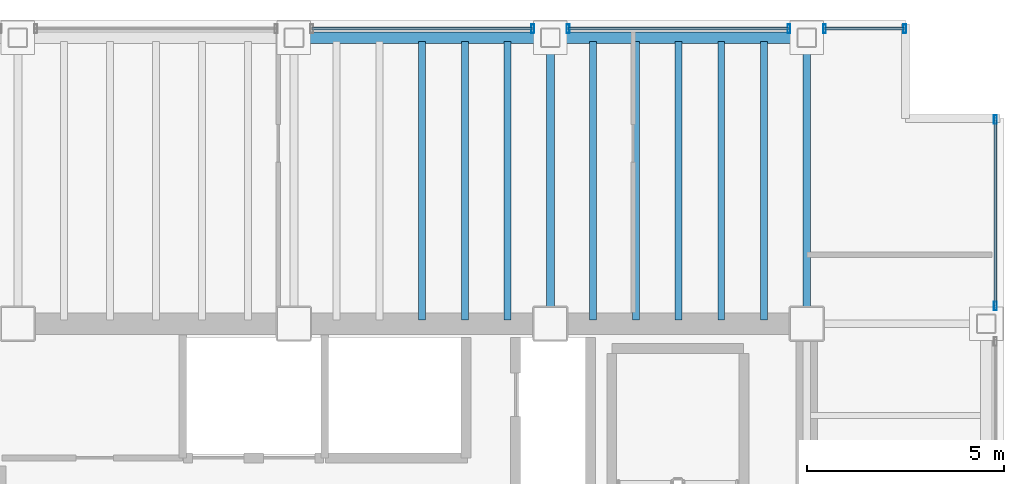
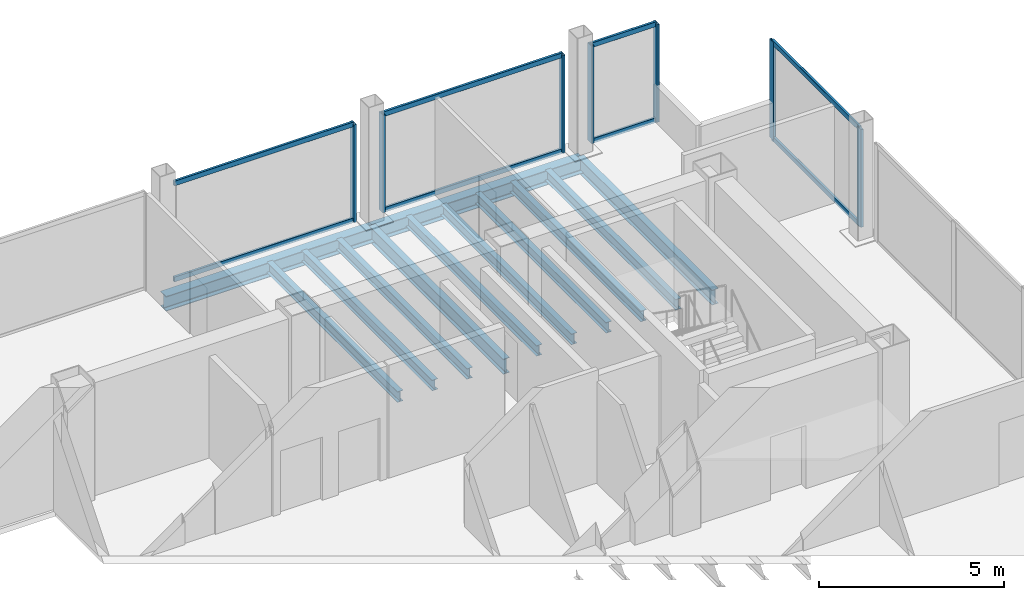
# One storey, part 14 of 18: 15 members, 12 beams, 4 elements without a shape of their own.
"""IFC4 building model written with IfcOpenShell, lengths in metres."""

import ifcopenshell
import ifcopenshell.guid

model = None  # the IFC model being written
_history = None  # IfcOwnerHistory: only IFC2X3 demands one
_inside = {}  # id of a spatial element -> (the spatial element, [elements in it])
_under = {}  # id of a project, library or spatial element -> (it, [spatial elements below it])
_declared = {}  # id of a project -> (the project, [libraries it declares])
_typed = {}  # id of a type object -> (the type object, [elements of that type])
_made_of = {}  # id of a material, layer set ... -> (it, [elements and type objects made of it])


def new_model(schema):
    """Start an empty IFC model of exactly this schema.

    Asked for "IFC4X3", IfcOpenShell would pick the latest addendum, in which some entities
    have other attributes; the version numbers below select the first issue.
    IFC2X3 requires an IfcOwnerHistory on every rooted entity: one is made here for all.
    """
    global model, _history
    if schema == "IFC4X3":
        model = ifcopenshell.file(schema_version=(4, 3, 0, 0))
    else:
        model = ifcopenshell.file(schema=schema)
    _inside.clear()
    _under.clear()
    _declared.clear()
    _typed.clear()
    _made_of.clear()
    _history = None
    if model.schema == "IFC2X3":
        org = make("IfcOrganization", Name="unknown")
        user = make(
            "IfcPersonAndOrganization",
            ThePerson=make("IfcPerson", FamilyName="unknown"),
            TheOrganization=org,
        )
        app = make(
            "IfcApplication",
            ApplicationDeveloper=org,
            Version="unknown",
            ApplicationFullName="unknown",
            ApplicationIdentifier="unknown",
        )
        _history = make(
            "IfcOwnerHistory",
            OwningUser=user,
            OwningApplication=app,
            ChangeAction="ADDED",
            CreationDate=0,
        )
    return model


def make(cls, **values):
    """One entity of the class cls with the attributes given. An attribute that is None is left unset."""
    return model.create_entity(
        cls, **{name: value for name, value in values.items() if value is not None}
    )


def rooted(cls, **values):
    """An entity with a GlobalId (a new one), such as an element, a storey or a relation."""
    return make(cls, GlobalId=ifcopenshell.guid.new(), OwnerHistory=_history, **values)


def si_unit(unit_type, name, prefix=None):
    """IfcSIUnit, for example si_unit("LENGTHUNIT", "METRE", prefix="MILLI")."""
    return make("IfcSIUnit", UnitType=unit_type, Prefix=prefix, Name=name)


def assignment(units):
    """IfcUnitAssignment: the units of a project."""
    return None if units is None else make("IfcUnitAssignment", Units=units)


def point(xyz):
    """IfcCartesianPoint."""
    return None if xyz is None else make("IfcCartesianPoint", Coordinates=xyz)


def direction(xyz):
    """IfcDirection."""
    return None if xyz is None else make("IfcDirection", DirectionRatios=xyz)


def frame(location, z_axis=None, x_axis=None):
    """IfcAxis2Placement3D, a coordinate frame: its origin and axes. An axis left out is left unset."""
    return make(
        "IfcAxis2Placement3D",
        Location=point(location),
        Axis=direction(z_axis),
        RefDirection=direction(x_axis),
    )


def frame_2d(location, x_axis=None):
    """IfcAxis2Placement2D, a coordinate frame in the plane: its origin and x axis."""
    return make(
        "IfcAxis2Placement2D", Location=point(location), RefDirection=direction(x_axis)
    )


def origin():
    """The frame at (0, 0, 0) with its axes left unset."""
    return frame((0.0, 0.0, 0.0))


def origin_2d():
    """The frame at (0, 0) in the plane with its x axis left unset."""
    return frame_2d((0.0, 0.0))


def place(relative_to, where):
    """IfcLocalPlacement: puts the frame where relative to a parent placement (None: the world)."""
    return make(
        "IfcLocalPlacement", PlacementRelTo=relative_to, RelativePlacement=where
    )


def context(
    kind, dimensions, precision=None, world=None, true_north=None, identifier=None
):
    """IfcGeometricRepresentationContext, for example the 3D "Model" context."""
    return make(
        "IfcGeometricRepresentationContext",
        ContextIdentifier=identifier,
        ContextType=kind,
        CoordinateSpaceDimension=dimensions,
        Precision=precision,
        WorldCoordinateSystem=world,
        TrueNorth=true_north,
    )


def subcontext(parent, identifier, kind, view, scale=None):
    """IfcGeometricRepresentationSubContext, for example "Body" below "Model"."""
    return make(
        "IfcGeometricRepresentationSubContext",
        ContextIdentifier=identifier,
        ContextType=kind,
        ParentContext=parent,
        TargetScale=scale,
        TargetView=view,
    )


def project(units=None, contexts=None):
    """IfcProject with its units and contexts."""
    return rooted(
        "IfcProject",
        Name="project",
        RepresentationContexts=contexts,
        UnitsInContext=assignment(units),
    )


def spatial(cls, under=None, at=None, **own):
    """A site, building, storey or space (cls), placed at a placement, below another one or the project."""
    s = rooted(cls, ObjectPlacement=at, **own)
    if under is not None:
        _under.setdefault(under.id(), (under, []))[1].append(s)
    return s


def profile(cls, at=None, kind="AREA", **sizes):
    """A parametric profile (cls). Its sizes go by their IFC names, for example OverallWidth=200.0."""
    return make(cls, ProfileType=kind, Position=at, **sizes)


def hollow_rectangle(**sizes):
    """IfcRectangleHollowProfileDef."""
    return profile("IfcRectangleHollowProfileDef", **sizes)


def i_section(**sizes):
    """IfcIShapeProfileDef."""
    return profile("IfcIShapeProfileDef", **sizes)


def extrude(swept, where, along, depth):
    """IfcExtrudedAreaSolid: the profile swept, set in the frame where, extruded along a direction by depth."""
    return make(
        "IfcExtrudedAreaSolid",
        SweptArea=swept,
        Position=where,
        ExtrudedDirection=direction(along),
        Depth=depth,
    )


def shape(context_of_items, identifier, shape_type, items):
    """IfcShapeRepresentation: the items that make up one representation, for example the "Body"."""
    return make(
        "IfcShapeRepresentation",
        ContextOfItems=context_of_items,
        RepresentationIdentifier=identifier,
        RepresentationType=shape_type,
        Items=items,
    )


def material(Name=None, Category=None):
    """IfcMaterial."""
    return make("IfcMaterial", Name=Name, Category=Category)


def material_profile(
    of_material, cross_section, Name=None, Category=None, Priority=None
):
    """IfcMaterialProfile: a cross section and its material."""
    return make(
        "IfcMaterialProfile",
        Name=Name,
        Material=of_material,
        Profile=cross_section,
        Priority=Priority,
        Category=Category,
    )


def profile_set(profiles, Name=None, composite=None):
    """IfcMaterialProfileSet."""
    return make(
        "IfcMaterialProfileSet",
        Name=Name,
        MaterialProfiles=profiles,
        CompositeProfile=composite,
    )


def made_of(thing, what):
    """Note that an element or type object is made of a material, layer set ...; save() writes the relation."""
    if what is not None:
        _made_of.setdefault(what.id(), (what, []))[1].append(thing)
    return thing


def type_object(cls, material=None, **own):
    """A type object (cls), such as IfcWallType, which elements share."""
    return made_of(rooted(cls, **own), material)


def element(
    cls,
    number,
    at=None,
    inside=None,
    cuts=None,
    type_object=None,
    material=None,
    context=None,
    identifier="Body",
    shape_type=None,
    held_by="IfcProductDefinitionShape",
    body=None,
    shapes=None,
    **own,
):
    """One element of the class cls, such as IfcWall. Its Tag is "e" and its number.

    at: its placement. inside: the storey or other place that contains it. cuts: it is an
    opening in that element (IfcRelVoidsElement). A single representation is given by context,
    identifier, shape_type and body (its items); several are given by shapes. held_by: the class
    of the entity that holds the representations. save() writes the other relations.
    """
    e = rooted(cls, Tag="e%d" % number, ObjectPlacement=at, **own)
    if body is not None:
        shapes = [shape(context, identifier, shape_type, body)]
    if shapes is not None:
        e.Representation = make(held_by, Representations=shapes)
    if inside is not None:
        _inside.setdefault(inside.id(), (inside, []))[1].append(e)
    if cuts is not None:
        rooted(
            "IfcRelVoidsElement", RelatingBuildingElement=cuts, RelatedOpeningElement=e
        )
    if type_object is not None:
        _typed.setdefault(type_object.id(), (type_object, []))[1].append(e)
    return made_of(e, material)


def aggregate(whole, parts):
    """IfcRelAggregates: a whole, such as a stair, and the parts it consists of."""
    return rooted("IfcRelAggregates", RelatingObject=whole, RelatedObjects=parts)


def save(model, path):
    """Write the relations noted so far, then the file.

    IfcRelAggregates (storeys below a building ...), IfcRelContainedInSpatialStructure (elements
    in a storey), IfcRelDefinesByType, IfcRelAssociatesMaterial and IfcRelDeclares: one each for
    every whole, place, type object, material and project.
    """
    for whole, parts in _under.values():
        aggregate(whole, parts)
    for where, things in _inside.values():
        rooted(
            "IfcRelContainedInSpatialStructure",
            RelatedElements=things,
            RelatingStructure=where,
        )
    for kind, things in _typed.values():
        rooted("IfcRelDefinesByType", RelatedObjects=things, RelatingType=kind)
    for what, things in _made_of.values():
        rooted("IfcRelAssociatesMaterial", RelatedObjects=things, RelatingMaterial=what)
    for by, libraries in _declared.values():
        rooted("IfcRelDeclares", RelatingContext=by, RelatedDefinitions=libraries)
    model.write(path)


model = new_model("IFC4")

# Units and contexts
model_context = context("Model", 3, precision=1e-05, world=origin(), true_north=direction((0.0, 1.0)))
body_context = subcontext(model_context, "Body", "Model", "MODEL_VIEW")
ifc_project = project(units=[si_unit("LENGTHUNIT", "METRE"), si_unit("AREAUNIT", "SQUARE_METRE"), si_unit("VOLUMEUNIT", "CUBIC_METRE"), si_unit("PLANEANGLEUNIT", "RADIAN"), si_unit("MASSUNIT", "GRAM", prefix="KILO")], contexts=[model_context])

# Site, building, storey
site_placement = place(None, origin())
site = spatial("IfcSite", under=ifc_project, at=site_placement, CompositionType="ELEMENT")
building_placement = place(site_placement, origin())
building = spatial("IfcBuilding", under=site, at=building_placement, Name="Noeulbin Bourse Tower", CompositionType="ELEMENT")
storey_placement = place(building_placement, frame((0.0, 0.0, 161.699951171875)))
storey = spatial("IfcBuildingStorey", under=building, at=storey_placement, Name="L40", CompositionType="ELEMENT", Elevation=161.699951171875)

# Beams
ifc_material_1 = material(Name="Steel S355", Category="steel")
ifc_material_profile_1 = material_profile(ifc_material_1, i_section(OverallWidth=0.199951171875, OverallDepth=0.5, WebThickness=0.010009765625, FlangeThickness=0.01611328125, FilletRadius=0.02001953125, at=origin_2d()), Name="H-500x200x10x16", Category="LoadBearing")
ifc_profile_set_1 = profile_set([ifc_material_profile_1], Name="Steel S355")
beam_type_1 = type_object("IfcBeamType", Name="BM-GRD-500", PredefinedType="USERDEFINED", material=ifc_profile_set_1)
for number, where, z_axis, x_axis, name in (
    (1, (37.5, 38.300048828125, -0.429931640625), (0.0, 1.0, 0.0), (-1.0, 0.0, 0.0), "Tower Primary Girder NS L40-4.4"),
    (2, (44.0, 38.300048828125, -0.429931640625), (0.0, 1.0, 0.0), (-1.0, 0.0, 0.0), "Tower Primary Girder NS L40-5.4"),
):
    element("IfcBeam", number, at=place(storey_placement, frame(where, z_axis=z_axis, x_axis=x_axis)), inside=storey, type_object=beam_type_1, Name=name, ObjectType="GIRDER", PredefinedType="USERDEFINED", context=body_context, shape_type="SweptSolid", body=[
        extrude(i_section(OverallWidth=0.199951171875, OverallDepth=0.5, WebThickness=0.010009765625, FlangeThickness=0.01611328125, FilletRadius=0.02001953125, at=origin_2d()), origin(), (0.0, 0.0, 1.0), 7.25),
    ])
ifc_material_profile_2 = material_profile(ifc_material_1, i_section(OverallWidth=0.175048828125, OverallDepth=0.35009765625, WebThickness=0.007080078125, FlangeThickness=0.010986328125, FilletRadius=0.013916015625, at=origin_2d()), Name="H-350x175x7x11", Category="LoadBearing")
ifc_profile_set_2 = profile_set([ifc_material_profile_2], Name="Steel S355")
beam_type_2 = type_object("IfcBeamType", Name="BM-JST-350", PredefinedType="JOIST", material=ifc_profile_set_2)
for number, where, z_axis, x_axis, name in (
    (3, (34.25, 38.39990234375, -0.35498046875), (0.0, 1.0, 0.0), (-1.0, 0.0, 0.0), "Tower Composite Joist L40-48"),
    (4, (35.333251953125, 38.39990234375, -0.35498046875), (0.0, 1.0, 0.0), (-1.0, 0.0, 0.0), "Tower Composite Joist L40-51"),
    (5, (36.416748046875, 38.39990234375, -0.35498046875), (0.0, 1.0, 0.0), (-1.0, 0.0, 0.0), "Tower Composite Joist L40-54"),
    (6, (38.583251953125, 38.39990234375, -0.35498046875), (0.0, 1.0, 0.0), (-1.0, 0.0, 0.0), "Tower Composite Joist L40-57"),
    (7, (39.666748046875, 38.39990234375, -0.35498046875), (0.0, 1.0, 0.0), (-1.0, 0.0, 0.0), "Tower Composite Joist L40-60"),
    (8, (40.75, 38.39990234375, -0.35498046875), (0.0, 1.0, 0.0), (-1.0, 0.0, 0.0), "Tower Composite Joist L40-63"),
    (9, (41.833251953125, 38.39990234375, -0.35498046875), (0.0, 1.0, 0.0), (-1.0, 0.0, 0.0), "Tower Composite Joist L40-66"),
    (10, (42.916748046875, 38.39990234375, -0.35498046875), (0.0, 1.0, 0.0), (-1.0, 0.0, 0.0), "Tower Composite Joist L40-69"),
):
    element("IfcBeam", number, at=place(storey_placement, frame(where, z_axis=z_axis, x_axis=x_axis)), inside=storey, type_object=beam_type_2, Name=name, PredefinedType="JOIST", context=body_context, shape_type="SweptSolid", body=[
        extrude(i_section(OverallWidth=0.175048828125, OverallDepth=0.35009765625, WebThickness=0.007080078125, FlangeThickness=0.010986328125, FilletRadius=0.013916015625, at=origin_2d()), origin(), (0.0, 0.0, 1.0), 7.050048828125),
    ])
ifc_material_profile_3 = material_profile(ifc_material_1, i_section(OverallWidth=0.300048828125, OverallDepth=0.488037109375, WebThickness=0.010986328125, FlangeThickness=0.01806640625, FilletRadius=0.02197265625, at=origin_2d()), Name="H-488x300x11x18", Category="LoadBearing")
ifc_profile_set_3 = profile_set([ifc_material_profile_3], Name="Steel S355")
beam_type_3 = type_object("IfcBeamType", Name="BM-SPN-488", PredefinedType="SPANDREL", material=ifc_profile_set_3)
for number, where, z_axis, x_axis, name in (
    (11, (31.0, 45.550048828125, -0.424072265625), (1.0, 0.0, 0.0), (0.0, 1.0, 0.0), "North Spandrel L40-3"),
    (12, (37.5, 45.550048828125, -0.424072265625), (1.0, 0.0, 0.0), (0.0, 1.0, 0.0), "North Spandrel L40-4"),
):
    element("IfcBeam", number, at=place(storey_placement, frame(where, z_axis=z_axis, x_axis=x_axis)), inside=storey, type_object=beam_type_3, Name=name, PredefinedType="SPANDREL", context=body_context, shape_type="SweptSolid", body=[
        extrude(i_section(OverallWidth=0.300048828125, OverallDepth=0.488037109375, WebThickness=0.010986328125, FlangeThickness=0.01806640625, FilletRadius=0.02197265625, at=origin_2d()), origin(), (0.0, 0.0, 1.0), 6.5),
    ])

# Curtain wall, member
ifc_material_2 = material(Name="Dark Tinted Triple Glazing", Category="glass")
curtain_wall_type = type_object("IfcCurtainWallType", Name="CW-SYS-3", PredefinedType="NOTDEFINED", material=ifc_material_2)
curtain_wall_1_placement = place(storey_placement, origin())
curtain_wall_1 = element("IfcCurtainWall", 13, at=curtain_wall_1_placement, inside=storey, type_object=curtain_wall_type, Name="Unitised Curtain Wall CW-L40-N-S4", PredefinedType="NOTDEFINED")
ifc_material_3 = material(Name="Anodised Aluminium 6063-T6", Category="aluminium")
ifc_material_profile_4 = material_profile(ifc_material_3, hollow_rectangle(XDim=0.074951171875, YDim=0.219970703125, WallThickness=0.0048828125, InnerFilletRadius=0.00244140625, OuterFilletRadius=0.0048828125, at=origin_2d()), Name="ALU-MULL-75x220x5", Category="LoadBearing")
ifc_profile_set_4 = profile_set([ifc_material_profile_4], Name="Anodised Aluminium 6063-T6")
member_type_1 = type_object("IfcMemberType", Name="CW-SYS-3-MUL", PredefinedType="MULLION", material=ifc_profile_set_4)
member_1_placement = place(storey_placement, frame((37.050048828125, 45.780029296875, -0.02001953125), z_axis=(0.0, 0.0, 1.0), x_axis=(1.0, 0.0, 0.0)))
member_1 = element("IfcMember", 14, at=member_1_placement, type_object=member_type_1, Name="Curtain Wall Mullion CW-L40-N-S4-M01", PredefinedType="MULLION", context=body_context, shape_type="SweptSolid", body=[
    extrude(hollow_rectangle(XDim=0.074951171875, YDim=0.219970703125, WallThickness=0.0048828125, InnerFilletRadius=0.00244140625, OuterFilletRadius=0.0048828125, at=origin_2d()), origin(), (0.0, 0.0, 1.0), 3.219970703125),
])

# Curtain wall, members
curtain_wall_2_placement = place(storey_placement, origin())
curtain_wall_2 = element("IfcCurtainWall", 15, at=curtain_wall_2_placement, inside=storey, type_object=curtain_wall_type, Name="Unitised Curtain Wall CW-L40-N-S5", PredefinedType="NOTDEFINED")
member_2_placement = place(storey_placement, frame((37.949951171875, 45.780029296875, -0.02001953125), z_axis=(0.0, 0.0, 1.0), x_axis=(1.0, 0.0, 0.0)))
member_2 = element("IfcMember", 16, at=member_2_placement, type_object=member_type_1, Name="Curtain Wall Mullion CW-L40-N-S5-M00", PredefinedType="MULLION", context=body_context, shape_type="SweptSolid", body=[
    extrude(hollow_rectangle(XDim=0.074951171875, YDim=0.219970703125, WallThickness=0.0048828125, InnerFilletRadius=0.00244140625, OuterFilletRadius=0.0048828125, at=origin_2d()), origin(), (0.0, 0.0, 1.0), 3.219970703125),
])
member_3_placement = place(storey_placement, frame((43.550048828125, 45.780029296875, -0.02001953125), z_axis=(0.0, 0.0, 1.0), x_axis=(1.0, 0.0, 0.0)))
member_3 = element("IfcMember", 17, at=member_3_placement, type_object=member_type_1, Name="Curtain Wall Mullion CW-L40-N-S5-M01", PredefinedType="MULLION", context=body_context, shape_type="SweptSolid", body=[
    extrude(hollow_rectangle(XDim=0.074951171875, YDim=0.219970703125, WallThickness=0.0048828125, InnerFilletRadius=0.00244140625, OuterFilletRadius=0.0048828125, at=origin_2d()), origin(), (0.0, 0.0, 1.0), 3.219970703125),
])

curtain_wall_3_placement = place(storey_placement, origin())
curtain_wall_3 = element("IfcCurtainWall", 18, at=curtain_wall_3_placement, inside=storey, type_object=curtain_wall_type, Name="Unitised Curtain Wall CW-L40-N-S6", PredefinedType="NOTDEFINED")
member_4_placement = place(storey_placement, frame((44.449951171875, 45.780029296875, -0.02001953125), z_axis=(0.0, 0.0, 1.0), x_axis=(1.0, 0.0, 0.0)))
member_4 = element("IfcMember", 19, at=member_4_placement, type_object=member_type_1, Name="Curtain Wall Mullion CW-L40-N-S6-M00", PredefinedType="MULLION", context=body_context, shape_type="SweptSolid", body=[
    extrude(hollow_rectangle(XDim=0.074951171875, YDim=0.219970703125, WallThickness=0.0048828125, InnerFilletRadius=0.00244140625, OuterFilletRadius=0.0048828125, at=origin_2d()), origin(), (0.0, 0.0, 1.0), 3.219970703125),
])
member_5_placement = place(storey_placement, frame((46.47998046875, 45.780029296875, -0.02001953125), z_axis=(0.0, 0.0, 1.0), x_axis=(1.0, 0.0, 0.0)))
member_5 = element("IfcMember", 20, at=member_5_placement, type_object=member_type_1, Name="Curtain Wall Mullion CW-L40-N-S6-M01", PredefinedType="MULLION", context=body_context, shape_type="SweptSolid", body=[
    extrude(hollow_rectangle(XDim=0.074951171875, YDim=0.219970703125, WallThickness=0.0048828125, InnerFilletRadius=0.00244140625, OuterFilletRadius=0.0048828125, at=origin_2d()), origin(), (0.0, 0.0, 1.0), 3.219970703125),
])

curtain_wall_4_placement = place(storey_placement, origin())
curtain_wall_4 = element("IfcCurtainWall", 21, at=curtain_wall_4_placement, inside=storey, type_object=curtain_wall_type, Name="Unitised Curtain Wall CW-L40-E-S3", PredefinedType="NOTDEFINED")
member_6_placement = place(storey_placement, frame((48.780029296875, 38.75, -0.02001953125), z_axis=(0.0, 0.0, 1.0), x_axis=(1.0, 0.0, 0.0)))
member_6 = element("IfcMember", 22, at=member_6_placement, type_object=member_type_1, Name="Curtain Wall Mullion CW-L40-E-S3-M00", PredefinedType="MULLION", context=body_context, shape_type="SweptSolid", body=[
    extrude(hollow_rectangle(XDim=0.074951171875, YDim=0.219970703125, WallThickness=0.0048828125, InnerFilletRadius=0.00244140625, OuterFilletRadius=0.0048828125, at=origin_2d()), origin(), (0.0, 0.0, 1.0), 3.219970703125),
])
member_7_placement = place(storey_placement, frame((48.780029296875, 43.47998046875, -0.02001953125), z_axis=(0.0, 0.0, 1.0), x_axis=(1.0, 0.0, 0.0)))
member_7 = element("IfcMember", 23, at=member_7_placement, type_object=member_type_1, Name="Curtain Wall Mullion CW-L40-E-S3-M01", PredefinedType="MULLION", context=body_context, shape_type="SweptSolid", body=[
    extrude(hollow_rectangle(XDim=0.074951171875, YDim=0.219970703125, WallThickness=0.0048828125, InnerFilletRadius=0.00244140625, OuterFilletRadius=0.0048828125, at=origin_2d()), origin(), (0.0, 0.0, 1.0), 3.219970703125),
])

# Member
ifc_material_profile_5 = material_profile(ifc_material_3, hollow_rectangle(XDim=0.074951171875, YDim=0.159912109375, WallThickness=0.0048828125, InnerFilletRadius=0.00244140625, OuterFilletRadius=0.0048828125, at=origin_2d()), Name="ALU-TRAN-75x160x5", Category="LoadBearing")
ifc_profile_set_5 = profile_set([ifc_material_profile_5], Name="Anodised Aluminium 6063-T6")
member_type_2 = type_object("IfcMemberType", Name="CW-SYS-3-TRN", PredefinedType="USERDEFINED", material=ifc_profile_set_5)
member_8_placement = place(storey_placement, frame((31.4599609375, 45.780029296875, 0.010009765625), z_axis=(1.0, 0.0, 0.0), x_axis=(0.0, 1.0, 0.0)))
member_8 = element("IfcMember", 24, at=member_8_placement, type_object=member_type_2, Name="Curtain Wall Transom CW-L40-N-S4-T00", ObjectType="TRANSOM", PredefinedType="USERDEFINED", context=body_context, shape_type="SweptSolid", body=[
    extrude(hollow_rectangle(XDim=0.074951171875, YDim=0.159912109375, WallThickness=0.0048828125, InnerFilletRadius=0.00244140625, OuterFilletRadius=0.0048828125, at=origin_2d()), origin(), (0.0, 0.0, 1.0), 5.580078125),
])

member_9_placement = place(storey_placement, frame((31.4599609375, 45.780029296875, 3.170166015625), z_axis=(1.0, 0.0, 0.0), x_axis=(0.0, 1.0, 0.0)))
member_9 = element("IfcMember", 25, at=member_9_placement, type_object=member_type_2, Name="Curtain Wall Transom CW-L40-N-S4-T01", ObjectType="TRANSOM", PredefinedType="USERDEFINED", context=body_context, shape_type="SweptSolid", body=[
    extrude(hollow_rectangle(XDim=0.074951171875, YDim=0.159912109375, WallThickness=0.0048828125, InnerFilletRadius=0.00244140625, OuterFilletRadius=0.0048828125, at=origin_2d()), origin(), (0.0, 0.0, 1.0), 5.580078125),
])

aggregate(curtain_wall_1, [member_1, member_8, member_9])

member_10_placement = place(storey_placement, frame((37.9599609375, 45.780029296875, 0.010009765625), z_axis=(1.0, 0.0, 0.0), x_axis=(0.0, 1.0, 0.0)))
member_10 = element("IfcMember", 26, at=member_10_placement, type_object=member_type_2, Name="Curtain Wall Transom CW-L40-N-S5-T00", ObjectType="TRANSOM", PredefinedType="USERDEFINED", context=body_context, shape_type="SweptSolid", body=[
    extrude(hollow_rectangle(XDim=0.074951171875, YDim=0.159912109375, WallThickness=0.0048828125, InnerFilletRadius=0.00244140625, OuterFilletRadius=0.0048828125, at=origin_2d()), origin(), (0.0, 0.0, 1.0), 5.580078125),
])

member_11_placement = place(storey_placement, frame((37.9599609375, 45.780029296875, 3.170166015625), z_axis=(1.0, 0.0, 0.0), x_axis=(0.0, 1.0, 0.0)))
member_11 = element("IfcMember", 27, at=member_11_placement, type_object=member_type_2, Name="Curtain Wall Transom CW-L40-N-S5-T01", ObjectType="TRANSOM", PredefinedType="USERDEFINED", context=body_context, shape_type="SweptSolid", body=[
    extrude(hollow_rectangle(XDim=0.074951171875, YDim=0.159912109375, WallThickness=0.0048828125, InnerFilletRadius=0.00244140625, OuterFilletRadius=0.0048828125, at=origin_2d()), origin(), (0.0, 0.0, 1.0), 5.580078125),
])

aggregate(curtain_wall_2, [member_2, member_3, member_10, member_11])

member_12_placement = place(storey_placement, frame((44.4599609375, 45.780029296875, 0.010009765625), z_axis=(1.0, 0.0, 0.0), x_axis=(0.0, 1.0, 0.0)))
member_12 = element("IfcMember", 28, at=member_12_placement, type_object=member_type_2, Name="Curtain Wall Transom CW-L40-N-S6-T00", ObjectType="TRANSOM", PredefinedType="USERDEFINED", context=body_context, shape_type="SweptSolid", body=[
    extrude(hollow_rectangle(XDim=0.074951171875, YDim=0.159912109375, WallThickness=0.0048828125, InnerFilletRadius=0.00244140625, OuterFilletRadius=0.0048828125, at=origin_2d()), origin(), (0.0, 0.0, 1.0), 2.010009765625),
])

member_13_placement = place(storey_placement, frame((44.4599609375, 45.780029296875, 3.170166015625), z_axis=(1.0, 0.0, 0.0), x_axis=(0.0, 1.0, 0.0)))
member_13 = element("IfcMember", 29, at=member_13_placement, type_object=member_type_2, Name="Curtain Wall Transom CW-L40-N-S6-T01", ObjectType="TRANSOM", PredefinedType="USERDEFINED", context=body_context, shape_type="SweptSolid", body=[
    extrude(hollow_rectangle(XDim=0.074951171875, YDim=0.159912109375, WallThickness=0.0048828125, InnerFilletRadius=0.00244140625, OuterFilletRadius=0.0048828125, at=origin_2d()), origin(), (0.0, 0.0, 1.0), 2.010009765625),
])

aggregate(curtain_wall_3, [member_4, member_5, member_12, member_13])

member_14_placement = place(storey_placement, frame((48.780029296875, 38.760009765625, 0.010009765625), z_axis=(0.0, 1.0, 0.0), x_axis=(-1.0, 0.0, 0.0)))
member_14 = element("IfcMember", 30, at=member_14_placement, type_object=member_type_2, Name="Curtain Wall Transom CW-L40-E-S3-T00", ObjectType="TRANSOM", PredefinedType="USERDEFINED", context=body_context, shape_type="SweptSolid", body=[
    extrude(hollow_rectangle(XDim=0.074951171875, YDim=0.159912109375, WallThickness=0.0048828125, InnerFilletRadius=0.00244140625, OuterFilletRadius=0.0048828125, at=origin_2d()), origin(), (0.0, 0.0, 1.0), 4.7099609375),
])

member_15_placement = place(storey_placement, frame((48.780029296875, 38.760009765625, 3.170166015625), z_axis=(0.0, 1.0, 0.0), x_axis=(-1.0, 0.0, 0.0)))
member_15 = element("IfcMember", 31, at=member_15_placement, type_object=member_type_2, Name="Curtain Wall Transom CW-L40-E-S3-T01", ObjectType="TRANSOM", PredefinedType="USERDEFINED", context=body_context, shape_type="SweptSolid", body=[
    extrude(hollow_rectangle(XDim=0.074951171875, YDim=0.159912109375, WallThickness=0.0048828125, InnerFilletRadius=0.00244140625, OuterFilletRadius=0.0048828125, at=origin_2d()), origin(), (0.0, 0.0, 1.0), 4.7099609375),
])

aggregate(curtain_wall_4, [member_6, member_7, member_14, member_15])

save(model, "model.ifc")
